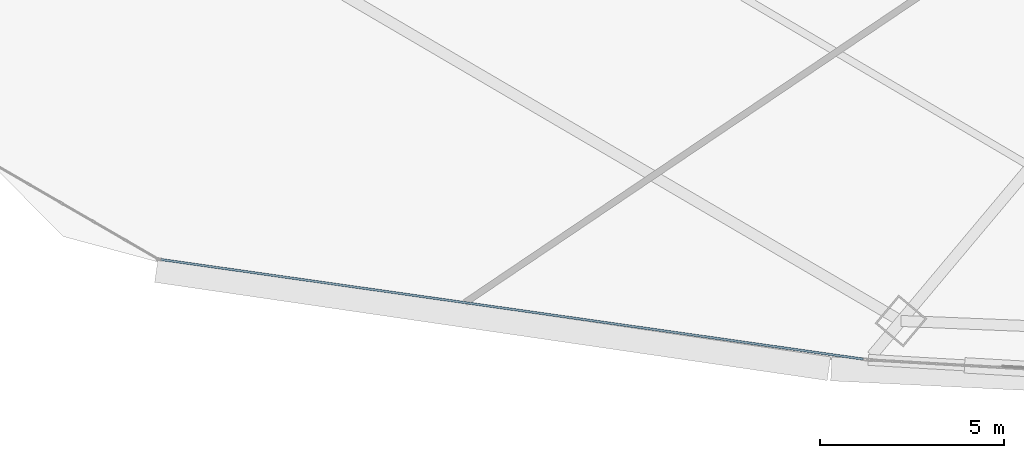
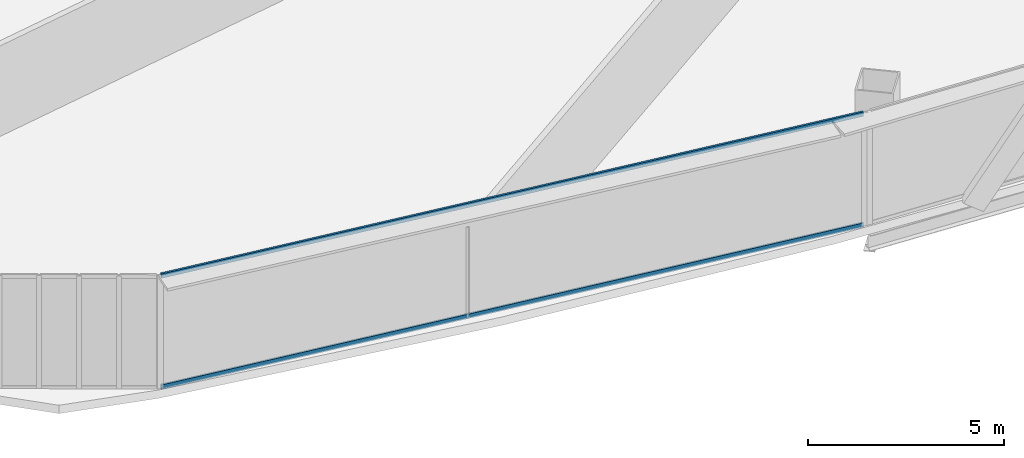
# One storey, part 3 of 41: 2 members, 1 element without a shape of its own.
"""IFC4 building model written with IfcOpenShell, lengths in metres."""

from ifc_helpers import new_model, si_unit, direction, frame, origin, origin_2d, place, context, subcontext, project, spatial, hollow_rectangle, extrude, source, transform, mapped, material, layer, layer_set, material_profile, profile_set, type_object, element, aggregate, save


model = new_model("IFC4")

# Units and contexts
model_context = context("Model", 3, precision=1e-05, world=origin(), true_north=direction((0.0, 1.0)))
body_context = subcontext(model_context, "Body", "Model", "MODEL_VIEW")
ifc_project = project(units=[si_unit("LENGTHUNIT", "METRE"), si_unit("AREAUNIT", "SQUARE_METRE"), si_unit("VOLUMEUNIT", "CUBIC_METRE"), si_unit("PLANEANGLEUNIT", "RADIAN"), si_unit("MASSUNIT", "GRAM", prefix="KILO"), si_unit("THERMODYNAMICTEMPERATUREUNIT", "KELVIN"), si_unit("POWERUNIT", "WATT")], contexts=[model_context])

# Site, building, storey
site_placement = place(None, origin())
site = spatial("IfcSite", under=ifc_project, at=site_placement, CompositionType="ELEMENT")
building_placement = place(site_placement, origin())
building = spatial("IfcBuilding", under=site, at=building_placement, Name="Yunzhuo Pagoda Commons", CompositionType="ELEMENT")
storey_placement = place(building_placement, frame((0.0, 0.0, 115.3798828125)))
storey = spatial("IfcBuildingStorey", under=building, at=storey_placement, Name="L29", CompositionType="ELEMENT", Elevation=115.3798828125)

# Curtain wall, members
ifc_material = material(Name="Anodized aluminium 6063-T6", Category="aluminium")
ifc_layer = layer(ifc_material, 0.1650390625)
ifc_layer_set = layer_set([ifc_layer], Name="Anodized aluminium 6063-T6")
curtain_wall_type = type_object("IfcCurtainWallType", Name="CW-LOW Low-Zone Ribbon Curtain Wall", PredefinedType="NOTDEFINED", material=ifc_layer_set)
curtain_wall_placement = place(storey_placement, origin())
curtain_wall = element("IfcCurtainWall", 1, at=curtain_wall_placement, inside=storey, type_object=curtain_wall_type, Name="L29 curtain wall CW-L29-F1B1", PredefinedType="NOTDEFINED")
ifc_material_profile = material_profile(ifc_material, hollow_rectangle(XDim=0.06005859375, YDim=0.139892578125, WallThickness=0.00341796875, at=origin_2d()), Name="Anodized aluminium 6063-T6")
ifc_profile_set = profile_set([ifc_material_profile], Name="Anodized aluminium 6063-T6")
member_type = type_object("IfcMemberType", Name="CW-LOW-T Transom RHS 140x60x3.5", PredefinedType="USERDEFINED", material=ifc_profile_set)
shared_shape = source(origin(), body_context, "Body", "SweptSolid", [
    extrude(hollow_rectangle(XDim=0.06005859375, YDim=0.139892578125, WallThickness=0.00341796875, at=origin_2d()), origin(), (0.0, 0.0, 1.0), 19.310546875),
])
member_1_placement = place(storey_placement, frame((11.41845703125, 15.785400390625, 0.030029296875), z_axis=(0.990093108947, -0.140412377004, 0.0), x_axis=(0.140412377004, 0.990093108947, 0.0)))
member_1 = element("IfcMember", 2, at=member_1_placement, type_object=member_type, Name="CW transom 1.1", ObjectType="TRANSOM", PredefinedType="USERDEFINED", context=body_context, shape_type="MappedRepresentation", body=[
    mapped(shared_shape, transform((0.0, 0.0, 0.0), scale=1.0)),
])
member_2_placement = place(storey_placement, frame((11.41845703125, 15.785400390625, 3.490234375), z_axis=(0.990093108947, -0.140412377004, 0.0), x_axis=(0.140412377004, 0.990093108947, 0.0)))
member_2 = element("IfcMember", 3, at=member_2_placement, type_object=member_type, Name="CW transom 1.2", ObjectType="TRANSOM", PredefinedType="USERDEFINED", context=body_context, shape_type="MappedRepresentation", body=[
    mapped(shared_shape, transform((0.0, 0.0, 0.0), scale=1.0)),
])
aggregate(curtain_wall, [member_1, member_2])

save(model, "model.ifc")
